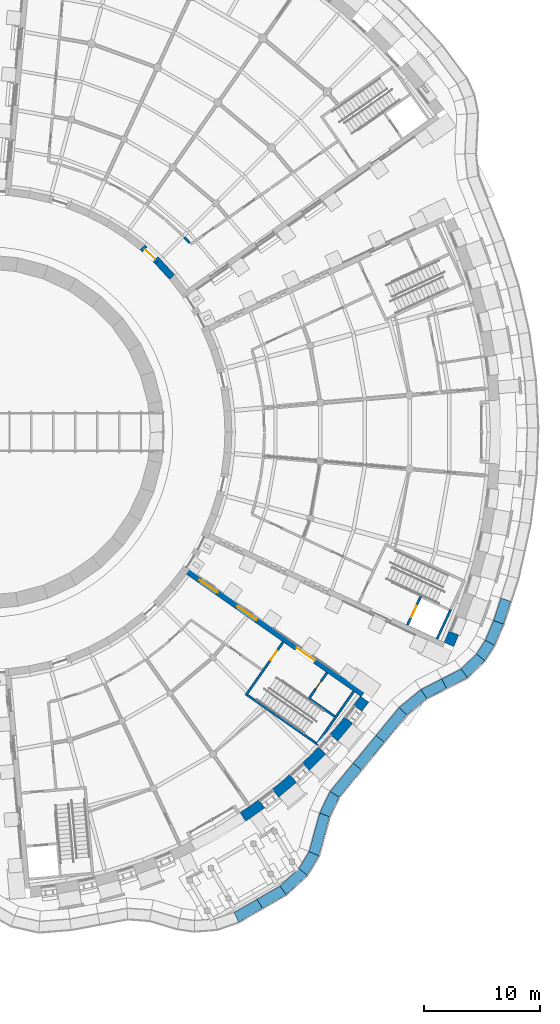
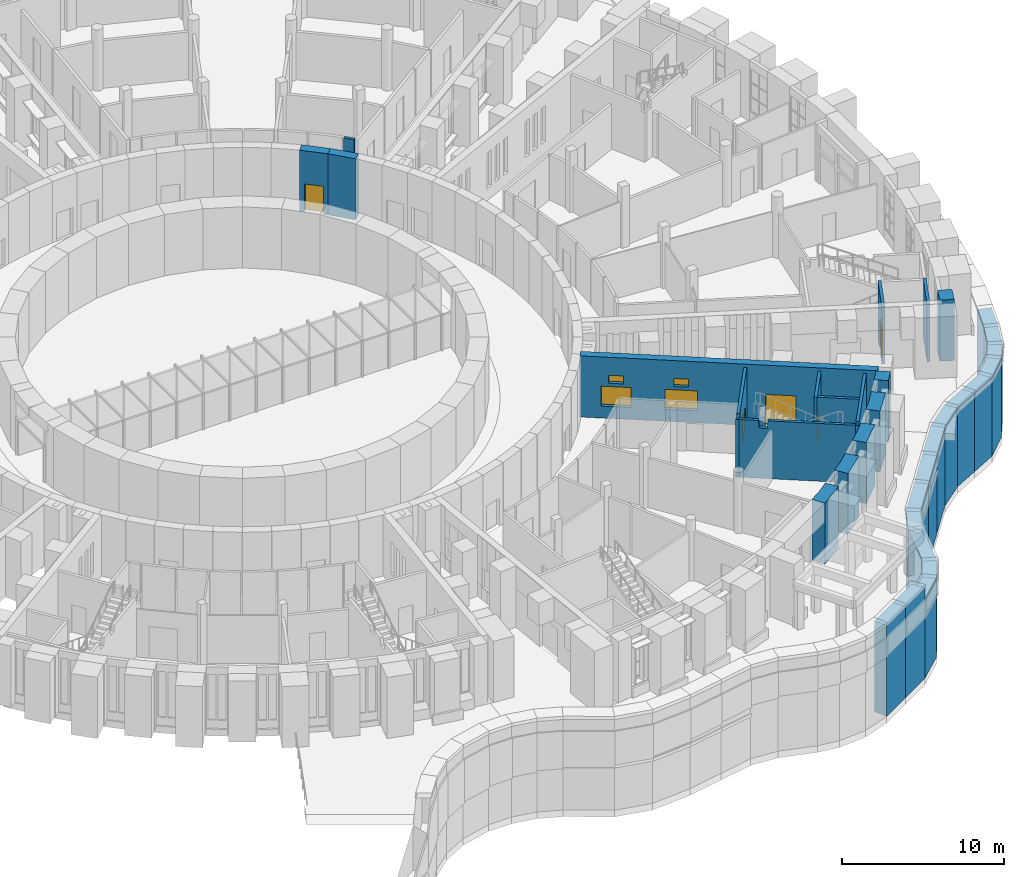
# One storey, part 52 of 85: 33 walls, 5 doors, 4 windows, 9 openings.
"""IFC4 building model written with IfcOpenShell, lengths in metres."""

from ifc_helpers import new_model, si_unit, direction, frame, frame_2d, origin, place, context, subcontext, project, spatial, polyline, rectangle, outline, extrude, material, layer, layer_set, type_object, element, fill, save


model = new_model("IFC4")

# Units and contexts
model_context = context("Model", 3, precision=1e-05, world=origin(), true_north=direction((0.0, 1.0)))
body_context = subcontext(model_context, "Body", "Model", "MODEL_VIEW")
ifc_project = project(units=[si_unit("LENGTHUNIT", "METRE"), si_unit("AREAUNIT", "SQUARE_METRE"), si_unit("VOLUMEUNIT", "CUBIC_METRE"), si_unit("PLANEANGLEUNIT", "RADIAN"), si_unit("MASSUNIT", "GRAM", prefix="KILO")], contexts=[model_context])

# Site, building, storey
site_placement = place(None, origin())
site = spatial("IfcSite", under=ifc_project, at=site_placement, CompositionType="ELEMENT")
building_placement = place(site_placement, origin())
building = spatial("IfcBuilding", under=site, at=building_placement, Name="Volute Hill Aquarium", CompositionType="ELEMENT")
storey_placement = place(building_placement, origin())
storey = spatial("IfcBuildingStorey", under=building, at=storey_placement, Name="L01", CompositionType="ELEMENT", Elevation=0.0)

# Wall, opening, door
ifc_material_1 = material(Name="Concrete C30/37", Category="concrete")
ifc_layer_1 = layer(ifc_material_1, 0.199951171875)
ifc_layer_set_1 = layer_set([ifc_layer_1], Name="Core wall 200 REI 60")
wall_type_1 = type_object("IfcWallType", Name="Core wall 200 REI 60", PredefinedType="SHEAR", material=ifc_layer_set_1)
wall_1_placement = place(storey_placement, frame((25.40185546875, -18.03076171875, 0.0), z_axis=(0.0, 0.0, 1.0), x_axis=(-0.573599855614, -0.819135645446, 0.0)))
wall_1 = element("IfcWall", 1, at=wall_1_placement, inside=storey, type_object=wall_type_1, Name="wc/S3-B/L01/in", PredefinedType="SHEAR", context=body_context, shape_type="SweptSolid", body=[
    extrude(outline(polyline([(0.0, 0.0), (5.60009765625, 0.0), (5.60009765625, 4.35009765625), (5.574951171875, 4.35009765625), (5.52490234375, 3.780029296875), (5.02490234375, 3.780029296875), (4.97509765625, 4.35009765625), (0.0, 4.35009765625), (0.0, 0.0)])), frame((0.0, 0.10009765625, 0.0), z_axis=(0.0, -1.0, 0.0), x_axis=(1.0, 0.0, 0.0)), (0.0, 0.0, 1.0), 0.199951171875),
])
opening_1_placement = place(wall_1_placement, frame((0.89990234375, 0.0, 0.0)))
opening_1 = element("IfcOpeningElement", 2, at=opening_1_placement, cuts=wall_1, Name="Opening D3.01.BS", PredefinedType="OPENING", context=body_context, shape_type="SweptSolid", body=[
    extrude(rectangle(XDim=1.0, YDim=2.10009765625, at=frame_2d((0.5, 1.050048828125))), frame((0.0, 0.10986328125, 0.0), z_axis=(0.0, -1.0, 0.0), x_axis=(1.0, 0.0, 0.0)), (0.0, 0.0, 1.0), 0.219970703125),
])
ifc_material_2 = material(Name="Timber, fire-rated", Category="wood")
door_type_1 = type_object("IfcDoorType", Name="Door 1000 x 2100 single EI1 30", OperationType="SINGLE_SWING_LEFT", PredefinedType="DOOR", material=ifc_material_2)
door_1_placement = place(opening_1_placement, origin())
door_1 = element("IfcDoor", 3, at=door_1_placement, inside=storey, type_object=door_type_1, Name="d/S3-B/L01/st", OperationType="SINGLE_SWING_RIGHT", OverallHeight=2.10009765625, OverallWidth=1.0, PredefinedType="DOOR", context=body_context, shape_type="SweptSolid", body=[
    extrude(rectangle(XDim=1.0, YDim=2.10009765625, at=frame_2d((0.5, 1.050048828125))), frame((0.0, 0.02490234375, 0.0), z_axis=(0.0, -1.0, 0.0), x_axis=(1.0, 0.0, 0.0)), (0.0, 0.0, 1.0), 0.050048828125),
])
fill(opening_1, door_1)

# Walls
wall_2_placement = place(storey_placement, frame((22.3291015625, -22.593505859375, 0.0), z_axis=(0.0, 0.0, 1.0), x_axis=(0.819161821637, -0.573562472597, 0.0)))
element("IfcWall", 4, at=wall_2_placement, inside=storey, type_object=wall_type_1, Name="wc/S3-B/L01/side", PredefinedType="SHEAR", context=body_context, shape_type="SweptSolid", body=[
    extrude(outline(polyline([(0.0, 0.0), (7.199951171875, 0.0), (7.199951171875, 4.35009765625), (1.794189453125, 4.35009765625), (1.744140625, 3.780029296875), (1.244140625, 3.780029296875), (1.194091796875, 4.35009765625), (0.0, 4.35009765625), (0.0, 0.0)])), frame((0.0, 0.10009765625, 0.0), z_axis=(0.0, -1.0, 0.0), x_axis=(1.0, 0.0, 0.0)), (0.0, 0.0, 1.0), 0.199951171875),
])
wall_3_placement = place(storey_placement, frame((31.463623046875, -22.275146484375, 0.0), z_axis=(0.0, 0.0, 1.0), x_axis=(-0.573550118428, -0.819170471667, 0.0)))
element("IfcWall", 5, at=wall_3_placement, inside=storey, type_object=wall_type_1, Name="wc/S3-B/L01/out", PredefinedType="SHEAR", context=body_context, shape_type="SweptSolid", body=[
    extrude(outline(polyline([(0.0, 0.0), (5.60009765625, 0.0), (5.60009765625, 4.35009765625), (5.550048828125, 3.830078125), (5.24462890625, 3.830078125), (5.194580078125, 4.35009765625), (0.0, 4.35009765625), (0.0, 0.0)])), frame((0.0, 0.10009765625, 0.0), z_axis=(0.0, -1.0, 0.0), x_axis=(1.0, 0.0, 0.0)), (0.0, 0.0, 1.0), 0.199951171875),
])
ifc_material_3 = material(Name="Concrete C35/45", Category="concrete")
ifc_layer_2 = layer(ifc_material_3, 0.60009765625)
ifc_layer_set_2 = layer_set([ifc_layer_2], Name="Drum wall C35/45 600")
wall_type_2 = type_object("IfcWallType", Name="Drum wall C35/45 600", PredefinedType="SHEAR", material=ifc_layer_set_2)
wall_4_placement = place(storey_placement, frame((15.857177734375, 13.3056640625, 0.0), z_axis=(0.0, 0.0, 1.0), x_axis=(-0.675540954152, 0.737322466268, 0.0)))
element("IfcWall", 6, at=wall_4_placement, inside=storey, type_object=wall_type_2, Name="sw/DR/L01/8", PredefinedType="SHEAR", context=body_context, shape_type="SweptSolid", body=[
    extrude(rectangle(XDim=1.805908203125, YDim=0.60009765625, at=frame_2d((0.90283203125, 0.0))), origin(), (0.0, 0.0, 1.0), 4.60009765625),
])

# Wall, opening, door
wall_5_placement = place(storey_placement, frame((14.63720703125, 14.63720703125, 0.0), z_axis=(0.0, 0.0, 1.0), x_axis=(-0.737322466268, 0.675540954152, 0.0)))
wall_5 = element("IfcWall", 7, at=wall_5_placement, inside=storey, type_object=wall_type_2, Name="sw/DR/L01/9", PredefinedType="SHEAR", context=body_context, shape_type="SweptSolid", body=[
    extrude(rectangle(XDim=1.805908203125, YDim=0.60009765625, at=frame_2d((0.90283203125, 0.0))), origin(), (0.0, 0.0, 1.0), 4.60009765625),
])
opening_2_placement = place(wall_5_placement, frame((0.302978515625, 0.0, 0.0)))
opening_2 = element("IfcOpeningElement", 8, at=opening_2_placement, cuts=wall_5, Name="Opening D5.01.R1", PredefinedType="OPENING", context=body_context, shape_type="SweptSolid", body=[
    extrude(rectangle(XDim=1.199951171875, YDim=2.10009765625, at=frame_2d((0.60009765625, 1.050048828125))), frame((0.0, 0.31005859375, 0.0), z_axis=(0.0, -1.0, 0.0), x_axis=(1.0, 0.0, 0.0)), (0.0, 0.0, 1.0), 0.6201171875),
])
ifc_material_4 = material(Name="Timber", Category="wood")
door_type_2 = type_object("IfcDoorType", Name="Door 1200 x 2100 drum double", OperationType="DOUBLE_DOOR_SINGLE_SWING", PredefinedType="DOOR", material=ifc_material_4)
door_2_placement = place(opening_2_placement, origin())
door_2 = element("IfcDoor", 9, at=door_2_placement, inside=storey, type_object=door_type_2, Name="d/S5/L01/dr1", OperationType="SINGLE_SWING_LEFT", OverallHeight=2.10009765625, OverallWidth=1.199951171875, PredefinedType="DOOR", context=body_context, shape_type="SweptSolid", body=[
    extrude(rectangle(XDim=1.199951171875, YDim=2.10009765625, at=frame_2d((0.60009765625, 1.050048828125))), frame((0.0, 0.02490234375, 0.0), z_axis=(0.0, -1.0, 0.0), x_axis=(1.0, 0.0, 0.0)), (0.0, 0.0, 1.0), 0.050048828125),
])
fill(opening_2, door_2)

# Wall, openings, door, windows
ifc_material_5 = material(Name="Concrete C35/45", Category="concrete")
ifc_layer_3 = layer(ifc_material_5, 0.5)
ifc_layer_set_3 = layer_set([ifc_layer_3], Name="End wall 500 C35/45")
wall_type_3 = type_object("IfcWallType", Name="End wall 500 C35/45", PredefinedType="SHEAR", material=ifc_layer_set_3)
wall_6_placement = place(storey_placement, frame((17.14892578125, -11.94677734375, 0.0), z_axis=(0.0, 0.0, 1.0), x_axis=(0.819149852352, -0.573579566749, 0.0)))
wall_6 = element("IfcWall", 10, at=wall_6_placement, inside=storey, type_object=wall_type_3, Name="sw/S3/L01/endB", PredefinedType="SHEAR", context=body_context, shape_type="SweptSolid", body=[
    extrude(rectangle(XDim=18.449951171875, YDim=0.5, at=frame_2d((9.22509765625, 0.0))), origin(), (0.0, 0.0, 1.0), 4.60009765625),
])
opening_3_placement = place(wall_6_placement, frame((1.31982421875, 0.0, 0.89990234375)))
opening_3 = element("IfcOpeningElement", 11, at=opening_3_placement, cuts=wall_6, Name="Opening W9", PredefinedType="OPENING", context=body_context, shape_type="SweptSolid", body=[
    extrude(rectangle(XDim=1.857421875, YDim=1.5, at=frame_2d((0.9287109375, 0.75))), frame((0.0, 0.260009765625, 0.0), z_axis=(0.0, -1.0, 0.0), x_axis=(1.0, 0.0, 0.0)), (0.0, 0.0, 1.0), 0.52001953125),
])
opening_4_placement = place(wall_6_placement, frame((1.798583984375, 0.0, 2.64990234375)))
opening_4 = element("IfcOpeningElement", 12, at=opening_4_placement, cuts=wall_6, Name="Opening W10", PredefinedType="OPENING", context=body_context, shape_type="SweptSolid", body=[
    extrude(rectangle(XDim=0.89990234375, YDim=0.60009765625, at=frame_2d((0.449951171875, 0.300048828125))), frame((0.0, 0.260009765625, 0.0), z_axis=(0.0, -1.0, 0.0), x_axis=(1.0, 0.0, 0.0)), (0.0, 0.0, 1.0), 0.52001953125),
])
opening_5_placement = place(wall_6_placement, frame((5.27734375, 0.0, 0.89990234375)))
opening_5 = element("IfcOpeningElement", 13, at=opening_5_placement, cuts=wall_6, Name="Opening W11", PredefinedType="OPENING", context=body_context, shape_type="SweptSolid", body=[
    extrude(rectangle(XDim=2.007568359375, YDim=1.5, at=frame_2d((1.00390625, 0.75))), frame((0.0, 0.260009765625, 0.0), z_axis=(0.0, -1.0, 0.0), x_axis=(1.0, 0.0, 0.0)), (0.0, 0.0, 1.0), 0.52001953125),
])
opening_6_placement = place(wall_6_placement, frame((5.8310546875, 0.0, 2.64990234375)))
opening_6 = element("IfcOpeningElement", 14, at=opening_6_placement, cuts=wall_6, Name="Opening W10", PredefinedType="OPENING", context=body_context, shape_type="SweptSolid", body=[
    extrude(rectangle(XDim=0.89990234375, YDim=0.60009765625, at=frame_2d((0.449951171875, 0.300048828125))), frame((0.0, 0.260009765625, 0.0), z_axis=(0.0, -1.0, 0.0), x_axis=(1.0, 0.0, 0.0)), (0.0, 0.0, 1.0), 0.52001953125),
])
opening_7_placement = place(wall_6_placement, frame((11.5, 0.0, 0.0)))
opening_7 = element("IfcOpeningElement", 15, at=opening_7_placement, cuts=wall_6, Name="Opening D3.01.BX", PredefinedType="OPENING", context=body_context, shape_type="SweptSolid", body=[
    extrude(rectangle(XDim=1.89990234375, YDim=2.39990234375, at=frame_2d((0.949951171875, 1.199951171875))), frame((0.0, 0.260009765625, 0.0), z_axis=(0.0, -1.0, 0.0), x_axis=(1.0, 0.0, 0.0)), (0.0, 0.0, 1.0), 0.52001953125),
])
ifc_material_6 = material(Name="Steel, fire-rated", Category="steel")
door_type_3 = type_object("IfcDoorType", Name="Door 1900 x 2400 stair exit double EI1 30", OperationType="DOUBLE_DOOR_SINGLE_SWING", PredefinedType="DOOR", material=ifc_material_6)
door_3_placement = place(opening_7_placement, origin())
door_3 = element("IfcDoor", 16, at=door_3_placement, inside=storey, type_object=door_type_3, Name="d/S3-B/L01/ex", OperationType="SINGLE_SWING_LEFT", OverallHeight=2.39990234375, OverallWidth=1.89990234375, PredefinedType="DOOR", context=body_context, shape_type="SweptSolid", body=[
    extrude(rectangle(XDim=1.89990234375, YDim=2.39990234375, at=frame_2d((0.949951171875, 1.199951171875))), frame((0.0, 0.02490234375, 0.0), z_axis=(0.0, -1.0, 0.0), x_axis=(1.0, 0.0, 0.0)), (0.0, 0.0, 1.0), 0.050048828125),
])
fill(opening_7, door_3)
ifc_material_7 = material(Name="Aluminium and glass", Category="aluminium")
window_type_1 = type_object("IfcWindowType", Name="End wall window 1857x1500", PartitioningType="SINGLE_PANEL", PredefinedType="WINDOW", material=ifc_material_7)
window_1_placement = place(opening_3_placement, origin())
window_1 = element("IfcWindow", 17, at=window_1_placement, inside=storey, type_object=window_type_1, Name="End wall window S3B L01 1.1", OverallHeight=1.5, OverallWidth=1.857421875, PartitioningType="SINGLE_PANEL", PredefinedType="WINDOW", context=body_context, shape_type="SweptSolid", body=[
    extrude(rectangle(XDim=1.857421875, YDim=1.5, at=frame_2d((0.9287109375, 0.75))), frame((0.0, 0.030029296875, 0.0), z_axis=(0.0, -1.0, 0.0), x_axis=(1.0, 0.0, 0.0)), (0.0, 0.0, 1.0), 0.06005859375),
])
fill(opening_3, window_1)
ifc_material_8 = material(Name="Aluminium and glass", Category="aluminium")
window_type_2 = type_object("IfcWindowType", Name="End wall window 2007x1500", PartitioningType="SINGLE_PANEL", PredefinedType="WINDOW", material=ifc_material_8)
window_2_placement = place(opening_5_placement, origin())
window_2 = element("IfcWindow", 18, at=window_2_placement, inside=storey, type_object=window_type_2, Name="End wall window S3B L01 2.1", OverallHeight=1.5, OverallWidth=2.007568359375, PartitioningType="SINGLE_PANEL", PredefinedType="WINDOW", context=body_context, shape_type="SweptSolid", body=[
    extrude(rectangle(XDim=2.007568359375, YDim=1.5, at=frame_2d((1.00390625, 0.75))), frame((0.0, 0.030029296875, 0.0), z_axis=(0.0, -1.0, 0.0), x_axis=(1.0, 0.0, 0.0)), (0.0, 0.0, 1.0), 0.06005859375),
])
fill(opening_5, window_2)
ifc_material_9 = material(Name="Aluminium and glass", Category="aluminium")
window_type_3 = type_object("IfcWindowType", Name="End wall window 900x600", PartitioningType="SINGLE_PANEL", PredefinedType="WINDOW", material=ifc_material_9)
window_3_placement = place(opening_4_placement, origin())
window_3 = element("IfcWindow", 19, at=window_3_placement, inside=storey, type_object=window_type_3, Name="End wall window S3B L01 1.2", OverallHeight=0.60009765625, OverallWidth=0.89990234375, PartitioningType="SINGLE_PANEL", PredefinedType="WINDOW", context=body_context, shape_type="SweptSolid", body=[
    extrude(rectangle(XDim=0.89990234375, YDim=0.60009765625, at=frame_2d((0.449951171875, 0.300048828125))), frame((0.0, 0.030029296875, 0.0), z_axis=(0.0, -1.0, 0.0), x_axis=(1.0, 0.0, 0.0)), (0.0, 0.0, 1.0), 0.06005859375),
])
fill(opening_4, window_3)
window_4_placement = place(opening_6_placement, origin())
window_4 = element("IfcWindow", 20, at=window_4_placement, inside=storey, type_object=window_type_3, Name="End wall window S3B L01 2.2", OverallHeight=0.60009765625, OverallWidth=0.89990234375, PartitioningType="SINGLE_PANEL", PredefinedType="WINDOW", context=body_context, shape_type="SweptSolid", body=[
    extrude(rectangle(XDim=0.89990234375, YDim=0.60009765625, at=frame_2d((0.449951171875, 0.300048828125))), frame((0.0, 0.030029296875, 0.0), z_axis=(0.0, -1.0, 0.0), x_axis=(1.0, 0.0, 0.0)), (0.0, 0.0, 1.0), 0.06005859375),
])
fill(opening_6, window_4)

# Walls
ifc_material_10 = material(Name="Masonry blockwork", Category="masonry")
ifc_layer_4 = layer(ifc_material_10, 0.199951171875)
ifc_layer_set_4 = layer_set([ifc_layer_4], Name="Fire partition 200 EI 60")
wall_type_4 = type_object("IfcWallType", Name="Fire partition 200 EI 60", PredefinedType="PARTITIONING", material=ifc_layer_set_4)
wall_7_placement = place(storey_placement, frame((16.9169921875, 16.7333984375, 0.0), z_axis=(0.0, 0.0, 1.0), x_axis=(0.675416123111, -0.737436818068, 0.0)))
element("IfcWall", 21, at=wall_7_placement, inside=storey, type_object=wall_type_4, Name="pw/S5/L01/036", PredefinedType="PARTITIONING", context=body_context, shape_type="SweptSolid", body=[
    extrude(rectangle(XDim=0.680908203125, YDim=0.199951171875, at=frame_2d((0.34033203125, 0.0))), origin(), (0.0, 0.0, 1.0), 3.590087890625),
])
ifc_material_11 = material(Name="Precast concrete C40/50", Category="concrete")
ifc_layer_5 = layer(ifc_material_11, 0.89990234375)
ifc_layer_set_5 = layer_set([ifc_layer_5], Name="Outer pier precast concrete C40/50 900")
wall_type_5 = type_object("IfcWallType", Name="Outer pier precast concrete C40/50 900", PredefinedType="NOTDEFINED", material=ifc_layer_set_5)
wall_8_placement = place(storey_placement, origin())
element("IfcWall", 22, at=wall_8_placement, inside=storey, type_object=wall_type_5, Name="Outer pier OWP S3 L01 7", PredefinedType="NOTDEFINED", context=body_context, shape_type="SweptSolid", body=[
    extrude(outline(polyline([(21.69677734375, -32.671142578125), (22.18017578125, -33.43017578125), (23.828125, -32.2763671875), (23.280029296875, -31.5625), (22.5126953125, -32.1513671875), (21.69677734375, -32.671142578125)])), origin(), (0.0, 0.0, 1.0), 4.60009765625),
])
wall_9_placement = place(storey_placement, origin())
element("IfcWall", 23, at=wall_9_placement, inside=storey, type_object=wall_type_5, Name="Outer pier OWP S3 L01 8", PredefinedType="NOTDEFINED", context=body_context, shape_type="SweptSolid", body=[
    extrude(outline(polyline([(24.461669921875, -30.65576171875), (25.009521484375, -31.369873046875), (26.550537109375, -30.076904296875), (25.9423828125, -29.413330078125), (25.22900390625, -30.06689453125), (24.461669921875, -30.65576171875)])), origin(), (0.0, 0.0, 1.0), 4.60009765625),
])
wall_10_placement = place(storey_placement, origin())
element("IfcWall", 24, at=wall_10_placement, inside=storey, type_object=wall_type_5, Name="Outer pier OWP S3 L01 9", PredefinedType="NOTDEFINED", context=body_context, shape_type="SweptSolid", body=[
    extrude(outline(polyline([(27.040283203125, -28.4072265625), (27.6484375, -29.07080078125), (29.07080078125, -27.6484375), (28.4072265625, -27.040283203125), (27.753662109375, -27.753662109375), (27.040283203125, -28.4072265625)])), origin(), (0.0, 0.0, 1.0), 4.60009765625),
])
wall_11_placement = place(storey_placement, origin())
element("IfcWall", 25, at=wall_11_placement, inside=storey, type_object=wall_type_5, Name="Outer pier OWP S3 L01 10", PredefinedType="NOTDEFINED", context=body_context, shape_type="SweptSolid", body=[
    extrude(outline(polyline([(29.413330078125, -25.9423828125), (30.076904296875, -26.550537109375), (31.369873046875, -25.009521484375), (30.65576171875, -24.461669921875), (30.06689453125, -25.22900390625), (29.413330078125, -25.9423828125)])), origin(), (0.0, 0.0, 1.0), 4.60009765625),
])
wall_12_placement = place(storey_placement, origin())
element("IfcWall", 26, at=wall_12_placement, inside=storey, type_object=wall_type_5, Name="Outer pier OWP S3 L01 11", PredefinedType="NOTDEFINED", context=body_context, shape_type="SweptSolid", body=[
    extrude(outline(polyline([(31.440673828125, -23.43896484375), (32.154541015625, -23.98681640625), (32.767333984375, -23.188232421875), (32.029541015625, -22.67138671875), (31.440673828125, -23.43896484375)])), origin(), (0.0, 0.0, 1.0), 4.60009765625),
])
wall_13_placement = place(storey_placement, origin())
element("IfcWall", 27, at=wall_13_placement, inside=storey, type_object=wall_type_5, Name="Outer pier OWP S4 L01 1", PredefinedType="NOTDEFINED", context=body_context, shape_type="SweptSolid", body=[
    extrude(outline(polyline([(39.228759765625, -18.072021484375), (40.045166015625, -18.45263671875), (40.468017578125, -17.431884765625), (39.636474609375, -17.08740234375), (39.228759765625, -18.072021484375)])), origin(), (0.0, 0.0, 1.0), 4.60009765625),
])

# Wall, opening, door
ifc_material_12 = material(Name="Masonry blockwork", Category="masonry")
ifc_layer_6 = layer(ifc_material_12, 0.199951171875)
ifc_layer_set_6 = layer_set([ifc_layer_6], Name="Riser wall 200 EI 60")
wall_type_6 = type_object("IfcWallType", Name="Riser wall 200 EI 60", PredefinedType="SOLIDWALL", material=ifc_layer_set_6)
wall_14_placement = place(storey_placement, frame((29.169921875, -20.669189453125, 0.0), z_axis=(0.0, 0.0, 1.0), x_axis=(-0.573550118428, -0.819170471667, 0.0)))
wall_14 = element("IfcWall", 28, at=wall_14_placement, inside=storey, type_object=wall_type_6, Name="wc/S3-B/L01/front", PredefinedType="SOLIDWALL", context=body_context, shape_type="SweptSolid", body=[
    extrude(rectangle(XDim=2.800048828125, YDim=0.199951171875, at=frame_2d((1.39990234375, 0.0))), origin(), (0.0, 0.0, 1.0), 4.35009765625),
])
opening_8_placement = place(wall_14_placement, frame((0.89990234375, 0.0, 0.0)))
opening_8 = element("IfcOpeningElement", 29, at=opening_8_placement, cuts=wall_14, Name="Opening D3.01.BR", PredefinedType="OPENING", context=body_context, shape_type="SweptSolid", body=[
    extrude(rectangle(XDim=0.800048828125, YDim=2.10009765625, at=frame_2d((0.39990234375, 1.050048828125))), frame((0.0, 0.10986328125, 0.0), z_axis=(0.0, -1.0, 0.0), x_axis=(1.0, 0.0, 0.0)), (0.0, 0.0, 1.0), 0.219970703125),
])
ifc_material_13 = material(Name="Steel, fire-rated", Category="steel")
door_type_4 = type_object("IfcDoorType", Name="Door 800 x 2100 riser EI1 30", OperationType="SINGLE_SWING_LEFT", PredefinedType="DOOR", material=ifc_material_13)
door_4_placement = place(opening_8_placement, origin())
door_4 = element("IfcDoor", 30, at=door_4_placement, inside=storey, type_object=door_type_4, Name="d/S3-B/L01/rs", OperationType="SINGLE_SWING_LEFT", OverallHeight=2.10009765625, OverallWidth=0.800048828125, PredefinedType="DOOR", context=body_context, shape_type="SweptSolid", body=[
    extrude(rectangle(XDim=0.800048828125, YDim=2.10009765625, at=frame_2d((0.39990234375, 1.050048828125))), frame((0.0, 0.02490234375, 0.0), z_axis=(0.0, -1.0, 0.0), x_axis=(1.0, 0.0, 0.0)), (0.0, 0.0, 1.0), 0.050048828125),
])
fill(opening_8, door_4)

# Walls
wall_15_placement = place(storey_placement, frame((27.703125, -22.938232421875, 0.0), z_axis=(0.0, 0.0, 1.0), x_axis=(0.819134863556, -0.573600972199, 0.0)))
element("IfcWall", 31, at=wall_15_placement, inside=storey, type_object=wall_type_6, Name="wc/S3-B/L01/shaft-side", PredefinedType="SOLIDWALL", context=body_context, shape_type="SweptSolid", body=[
    extrude(rectangle(XDim=2.60009765625, YDim=0.199951171875, at=frame_2d((1.300048828125, 0.0))), origin(), (0.0, 0.0, 1.0), 4.35009765625),
])
ifc_material_14 = material(Name="Concrete C30/37", Category="concrete")
ifc_layer_7 = layer(ifc_material_14, 0.199951171875)
ifc_layer_set_7 = layer_set([ifc_layer_7], Name="Shaft wall 200 EI 60")
wall_type_7 = type_object("IfcWallType", Name="Shaft wall 200 EI 60", PredefinedType="SOLIDWALL", material=ifc_layer_set_7)
wall_16_placement = place(storey_placement, frame((38.6025390625, -17.780029296875, 0.0), z_axis=(0.0, 0.0, 1.0), x_axis=(0.422632457081, 0.906301167505, 0.0)))
element("IfcWall", 32, at=wall_16_placement, inside=storey, type_object=wall_type_7, Name="wc/S4-A/L01/out-a", PredefinedType="SOLIDWALL", context=body_context, shape_type="SweptSolid", body=[
    extrude(rectangle(XDim=2.800048828125, YDim=0.199951171875, at=frame_2d((1.39990234375, 0.0))), origin(), (0.0, 0.0, 1.0), 4.35009765625),
])

# Wall, opening, door
wall_17_placement = place(storey_placement, frame((36.06494140625, -16.5966796875, 0.0), z_axis=(0.0, 0.0, 1.0), x_axis=(0.422632457081, 0.906301167505, 0.0)))
wall_17 = element("IfcWall", 33, at=wall_17_placement, inside=storey, type_object=wall_type_7, Name="wc/S4-A/L01/front", PredefinedType="SOLIDWALL", context=body_context, shape_type="SweptSolid", body=[
    extrude(rectangle(XDim=2.800048828125, YDim=0.199951171875, at=frame_2d((1.39990234375, 0.0))), origin(), (0.0, 0.0, 1.0), 4.35009765625),
])
opening_9_placement = place(wall_17_placement, frame((0.75, 0.0, 0.0)))
opening_9 = element("IfcOpeningElement", 34, at=opening_9_placement, cuts=wall_17, Name="Opening LD4.01.A", PredefinedType="OPENING", context=body_context, shape_type="SweptSolid", body=[
    extrude(rectangle(XDim=1.10009765625, YDim=2.10009765625, at=frame_2d((0.550048828125, 1.050048828125))), frame((0.0, 0.10986328125, 0.0), z_axis=(0.0, -1.0, 0.0), x_axis=(1.0, 0.0, 0.0)), (0.0, 0.0, 1.0), 0.219970703125),
])
ifc_material_15 = material(Name="Stainless steel", Category="steel")
door_type_5 = type_object("IfcDoorType", Name="Lift landing door 1100 x 2100", OperationType="SLIDING_TO_LEFT", PredefinedType="DOOR", material=ifc_material_15)
door_5_placement = place(opening_9_placement, origin())
door_5 = element("IfcDoor", 35, at=door_5_placement, inside=storey, type_object=door_type_5, Name="d/S4-A/L01/ld", OperationType="SLIDING_TO_LEFT", OverallHeight=2.10009765625, OverallWidth=1.10009765625, PredefinedType="DOOR", context=body_context, shape_type="SweptSolid", body=[
    extrude(rectangle(XDim=1.10009765625, YDim=2.10009765625, at=frame_2d((0.550048828125, 1.050048828125))), frame((0.0, 0.02490234375, 0.0), z_axis=(0.0, -1.0, 0.0), x_axis=(1.0, 0.0, 0.0)), (0.0, 0.0, 1.0), 0.050048828125),
])
fill(opening_9, door_5)

# Walls
ifc_material_16 = material(Name="Concrete C30/37", Category="concrete")
ifc_layer_8 = layer(ifc_material_16, 0.89990234375)
ifc_layer_set_8 = layer_set([ifc_layer_8], Name="Site edge retaining wall C30/37 900")
wall_type_8 = type_object("IfcWallType", Name="Site edge retaining wall C30/37 900", PredefinedType="SOLIDWALL", material=ifc_layer_set_8)
wall_18_placement = place(storey_placement, frame((0.0, 0.0, -6.0)))
element("IfcWall", 36, at=wall_18_placement, inside=storey, type_object=wall_type_8, Name="rw/E34UP/L01/0", PredefinedType="SOLIDWALL", context=body_context, shape_type="SweptSolid", body=[
    extrude(outline(polyline([(21.56884765625, -42.088134765625), (23.612060546875, -40.90869140625), (23.162109375, -40.129150390625), (21.193359375, -41.265869140625), (21.193359375, -41.265869140625), (21.56884765625, -42.088134765625), (21.56884765625, -42.088134765625)])), origin(), (0.0, 0.0, 1.0), 6.85009765625),
])
wall_19_placement = place(storey_placement, frame((0.0, 0.0, -6.0)))
element("IfcWall", 37, at=wall_19_placement, inside=storey, type_object=wall_type_8, Name="rw/E34UP/L01/1", PredefinedType="SOLIDWALL", context=body_context, shape_type="SweptSolid", body=[
    extrude(outline(polyline([(25.661376953125, -39.725341796875), (25.661376953125, -39.725341796875), (25.124267578125, -38.99609375), (23.162109375, -40.129150390625), (23.612060546875, -40.90869140625), (25.661376953125, -39.725341796875)])), origin(), (0.0, 0.0, 1.0), 6.85009765625),
])
wall_20_placement = place(storey_placement, frame((0.0, 0.0, -6.0)))
element("IfcWall", 38, at=wall_20_placement, inside=storey, type_object=wall_type_8, Name="rw/E35UP/L01/0", PredefinedType="SOLIDWALL", context=body_context, shape_type="SweptSolid", body=[
    extrude(outline(polyline([(25.661376953125, -39.725341796875), (27.4638671875, -38.0595703125), (26.758056640625, -37.486328125), (25.124267578125, -38.99609375), (25.661376953125, -39.725341796875)])), origin(), (0.0, 0.0, 1.0), 5.89990234375),
])
wall_21_placement = place(storey_placement, frame((0.0, 0.0, -6.0)))
element("IfcWall", 39, at=wall_21_placement, inside=storey, type_object=wall_type_8, Name="rw/E36UP/L01/0", PredefinedType="SOLIDWALL", context=body_context, shape_type="SweptSolid", body=[
    extrude(outline(polyline([(28.46142578125, -36.390869140625), (28.46142578125, -36.390869140625), (27.6259765625, -36.034423828125), (27.6259765625, -36.034423828125), (26.758056640625, -37.486328125), (26.758056640625, -37.486328125), (27.4638671875, -38.0595703125), (27.4638671875, -38.0595703125), (28.46142578125, -36.390869140625)])), origin(), (0.0, 0.0, 1.0), 5.89990234375),
])
wall_22_placement = place(storey_placement, frame((0.0, 0.0, -6.0)))
element("IfcWall", 40, at=wall_22_placement, inside=storey, type_object=wall_type_8, Name="rw/E37UP/L01/0", PredefinedType="SOLIDWALL", context=body_context, shape_type="SweptSolid", body=[
    extrude(outline(polyline([(29.379638671875, -33.043212890625), (29.379638671875, -33.043212890625), (28.533447265625, -32.725830078125), (27.6259765625, -36.034423828125), (28.46142578125, -36.390869140625), (29.379638671875, -33.043212890625)])), origin(), (0.0, 0.0, 1.0), 5.89990234375),
])
wall_23_placement = place(storey_placement, frame((0.0, 0.0, -6.0)))
element("IfcWall", 41, at=wall_23_placement, inside=storey, type_object=wall_type_8, Name="rw/E38UP/L01/0", PredefinedType="SOLIDWALL", context=body_context, shape_type="SweptSolid", body=[
    extrude(outline(polyline([(29.379638671875, -33.043212890625), (30.1953125, -31.353515625), (29.431640625, -30.865234375), (28.533447265625, -32.725830078125), (29.379638671875, -33.043212890625)])), origin(), (0.0, 0.0, 1.0), 5.89990234375),
])
wall_24_placement = place(storey_placement, frame((0.0, 0.0, -6.0)))
element("IfcWall", 42, at=wall_24_placement, inside=storey, type_object=wall_type_8, Name="rw/E39UP/L01/0", PredefinedType="SOLIDWALL", context=body_context, shape_type="SweptSolid", body=[
    extrude(outline(polyline([(30.1953125, -31.353515625), (32.1181640625, -29.013916015625), (31.423095703125, -28.4423828125), (29.431640625, -30.865234375), (29.431640625, -30.865234375), (30.1953125, -31.353515625), (30.1953125, -31.353515625)])), origin(), (0.0, 0.0, 1.0), 5.89990234375),
])
wall_25_placement = place(storey_placement, frame((0.0, 0.0, -6.0)))
element("IfcWall", 43, at=wall_25_placement, inside=storey, type_object=wall_type_8, Name="rw/E39UP/L01/1", PredefinedType="SOLIDWALL", context=body_context, shape_type="SweptSolid", body=[
    extrude(outline(polyline([(32.1181640625, -29.013916015625), (34.075439453125, -26.6328125), (33.380126953125, -26.061279296875), (31.423095703125, -28.4423828125), (32.1181640625, -29.013916015625)])), origin(), (0.0, 0.0, 1.0), 5.89990234375),
])
wall_26_placement = place(storey_placement, frame((0.0, 0.0, -6.0)))
element("IfcWall", 44, at=wall_26_placement, inside=storey, type_object=wall_type_8, Name="rw/E39UP/L01/2", PredefinedType="SOLIDWALL", context=body_context, shape_type="SweptSolid", body=[
    extrude(outline(polyline([(34.075439453125, -26.6328125), (36.004638671875, -24.28564453125), (35.365478515625, -23.64599609375), (33.380126953125, -26.061279296875), (34.075439453125, -26.6328125)])), origin(), (0.0, 0.0, 1.0), 5.89990234375),
])
wall_27_placement = place(storey_placement, frame((0.0, 0.0, -6.0)))
element("IfcWall", 45, at=wall_27_placement, inside=storey, type_object=wall_type_8, Name="rw/E40UP/L01/0", PredefinedType="SOLIDWALL", context=body_context, shape_type="SweptSolid", body=[
    extrude(outline(polyline([(36.004638671875, -24.28564453125), (37.727294921875, -22.873291015625), (37.231201171875, -22.1162109375), (35.365478515625, -23.64599609375), (35.365478515625, -23.64599609375), (36.004638671875, -24.28564453125), (36.004638671875, -24.28564453125)])), origin(), (0.0, 0.0, 1.0), 5.89990234375),
])
wall_28_placement = place(storey_placement, frame((0.0, 0.0, -6.0)))
element("IfcWall", 46, at=wall_28_placement, inside=storey, type_object=wall_type_8, Name="rw/E41UP/L01/0", PredefinedType="SOLIDWALL", context=body_context, shape_type="SweptSolid", body=[
    extrude(outline(polyline([(37.727294921875, -22.873291015625), (39.4208984375, -22.005859375), (39.010498046875, -21.204833984375), (37.231201171875, -22.1162109375), (37.231201171875, -22.1162109375), (37.727294921875, -22.873291015625)])), origin(), (0.0, 0.0, 1.0), 5.89990234375),
])
wall_29_placement = place(storey_placement, frame((0.0, 0.0, -6.0)))
element("IfcWall", 47, at=wall_29_placement, inside=storey, type_object=wall_type_8, Name="rw/E41UP/L01/1", PredefinedType="SOLIDWALL", context=body_context, shape_type="SweptSolid", body=[
    extrude(outline(polyline([(41.21728515625, -21.085693359375), (41.21728515625, -21.085693359375), (40.686767578125, -20.34619140625), (40.686767578125, -20.34619140625), (39.010498046875, -21.204833984375), (39.4208984375, -22.005859375), (41.21728515625, -21.085693359375)])), origin(), (0.0, 0.0, 1.0), 5.89990234375),
])
wall_30_placement = place(storey_placement, frame((0.0, 0.0, -6.0)))
element("IfcWall", 48, at=wall_30_placement, inside=storey, type_object=wall_type_8, Name="rw/E42UP/L01/0", PredefinedType="SOLIDWALL", context=body_context, shape_type="SweptSolid", body=[
    extrude(outline(polyline([(41.21728515625, -21.085693359375), (42.71337890625, -19.6328125), (42.00927734375, -19.06201171875), (40.686767578125, -20.34619140625), (41.21728515625, -21.085693359375)])), origin(), (0.0, 0.0, 1.0), 5.89990234375),
])
wall_31_placement = place(storey_placement, frame((0.0, 0.0, -6.0)))
element("IfcWall", 49, at=wall_31_placement, inside=storey, type_object=wall_type_8, Name="rw/E43UP/L01/0", PredefinedType="SOLIDWALL", context=body_context, shape_type="SweptSolid", body=[
    extrude(outline(polyline([(42.71337890625, -19.6328125), (43.548828125, -18.307373046875), (42.7490234375, -17.888671875), (42.00927734375, -19.06201171875), (42.00927734375, -19.06201171875), (42.71337890625, -19.6328125), (42.71337890625, -19.6328125)])), origin(), (0.0, 0.0, 1.0), 5.89990234375),
])
wall_32_placement = place(storey_placement, frame((0.0, 0.0, -6.0)))
element("IfcWall", 50, at=wall_32_placement, inside=storey, type_object=wall_type_8, Name="rw/E44UP/L01/0", PredefinedType="SOLIDWALL", context=body_context, shape_type="SweptSolid", body=[
    extrude(outline(polyline([(43.548828125, -18.307373046875), (44.3173828125, -16.498779296875), (43.4736328125, -16.183837890625), (43.4736328125, -16.183837890625), (42.7490234375, -17.888671875), (43.548828125, -18.307373046875)])), origin(), (0.0, 0.0, 1.0), 5.89990234375),
])
wall_33_placement = place(storey_placement, frame((0.0, 0.0, -6.0)))
element("IfcWall", 51, at=wall_33_placement, inside=storey, type_object=wall_type_8, Name="rw/E45UP/L01/0", PredefinedType="SOLIDWALL", context=body_context, shape_type="SweptSolid", body=[
    extrude(outline(polyline([(44.3173828125, -16.498779296875), (44.95166015625, -14.53759765625), (44.095458984375, -14.260498046875), (43.4736328125, -16.183837890625), (44.3173828125, -16.498779296875), (44.3173828125, -16.498779296875)])), origin(), (0.0, 0.0, 1.0), 5.89990234375),
])

save(model, "model.ifc")
